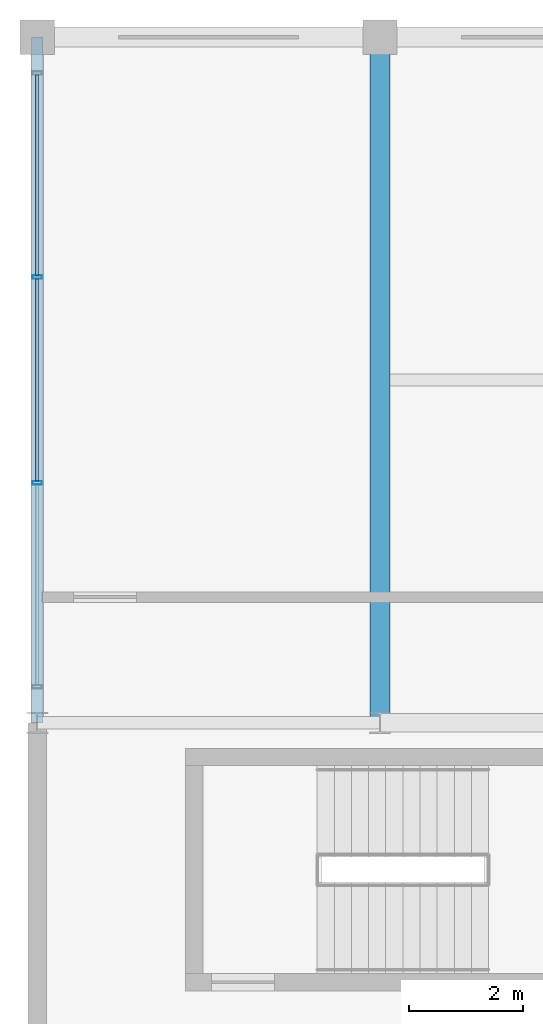
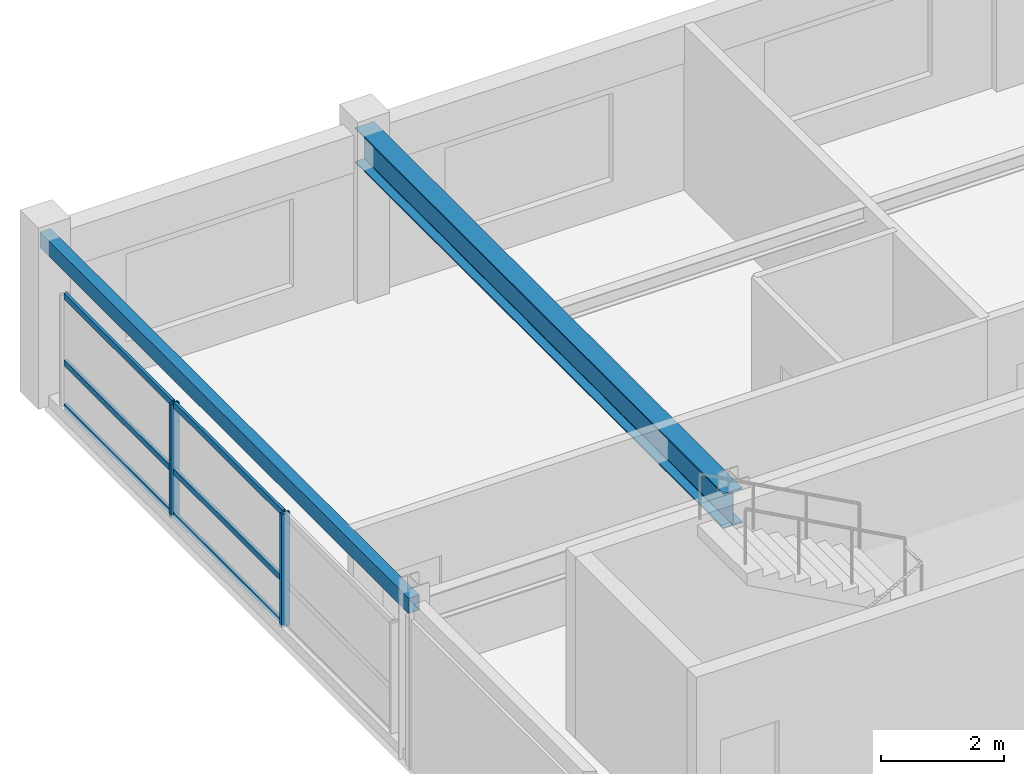
# One storey, part 8 of 22: 8 members, 2 beams, 1 element without a shape of its own.
"""IFC4 building model written with IfcOpenShell, lengths in metres."""

from ifc_helpers import new_model, si_unit, direction, frame, origin, origin_2d, place, context, subcontext, project, spatial, hollow_rectangle, i_section, extrude, material, material_profile, profile_set, type_object, element, aggregate, save


model = new_model("IFC4")

# Units and contexts
model_context = context("Model", 3, precision=1e-05, world=origin(), true_north=direction((0.0, 1.0)))
body_context = subcontext(model_context, "Body", "Model", "MODEL_VIEW")
ifc_project = project(units=[si_unit("LENGTHUNIT", "METRE"), si_unit("AREAUNIT", "SQUARE_METRE"), si_unit("VOLUMEUNIT", "CUBIC_METRE"), si_unit("PLANEANGLEUNIT", "RADIAN"), si_unit("MASSUNIT", "GRAM", prefix="KILO")], contexts=[model_context])

# Site, building, storey
site_placement = place(None, origin())
site = spatial("IfcSite", under=ifc_project, at=site_placement, CompositionType="ELEMENT")
building_placement = place(site_placement, origin())
building = spatial("IfcBuilding", under=site, at=building_placement, Name="Kaldorvane Square Convention Centre", CompositionType="ELEMENT")
storey_placement = place(building_placement, frame((0.0, 0.0, 67.19999694824219)))
storey = spatial("IfcBuildingStorey", under=building, at=storey_placement, Name="L16", CompositionType="ELEMENT", Elevation=67.19999694824219)

# Beams
ifc_material_1 = material(Name="Steel ASTM A992 Gr. 50", Category="steel")
ifc_material_profile_1 = material_profile(ifc_material_1, i_section(OverallWidth=0.354705810546875, OverallDepth=0.69549560546875, WebThickness=0.0153961181640625, FlangeThickness=0.0251007080078125, FilletRadius=0.01519775390625, at=origin_2d()), Name="W27X146")
ifc_profile_set_1 = profile_set([ifc_material_profile_1], Name="Steel ASTM A992 Gr. 50")
beam_type_1 = type_object("IfcBeamType", Name="BM-GR-W27X146", PredefinedType="BEAM", material=ifc_profile_set_1)
beam_1_placement = place(storey_placement, frame((42.0, 105.0, 2.9282073974609375), z_axis=(0.0, 1.0, 0.0), x_axis=(-1.0, 0.0, 0.0)))
element("IfcBeam", 1, at=beam_1_placement, inside=storey, type_object=beam_type_1, Name="Transverse Girder (L16)", PredefinedType="BEAM", context=body_context, shape_type="SweptSolid", body=[
    extrude(i_section(OverallWidth=0.354705810546875, OverallDepth=0.69549560546875, WebThickness=0.0153961181640625, FlangeThickness=0.0251007080078125, FilletRadius=0.01519775390625, at=origin_2d()), origin(), (0.0, 0.0, 1.0), 12.0),
])
ifc_material_2 = material(Name="Steel ASTM A500 Gr. C", Category="steel")
ifc_material_profile_2 = material_profile(ifc_material_2, hollow_rectangle(XDim=0.2032012939453125, YDim=0.3047943115234375, WallThickness=0.0088958740234375, at=origin_2d()), Name="HSS12X8X3/8")
ifc_profile_set_2 = profile_set([ifc_material_profile_2], Name="Steel ASTM A500 Gr. C")
beam_type_2 = type_object("IfcBeamType", Name="BM-SP-HSS12", PredefinedType="SPANDREL", material=ifc_profile_set_2)
beam_2_placement = place(storey_placement, frame((36.0, 105.0, 3.12359619140625), z_axis=(0.0, 1.0, 0.0), x_axis=(-1.0, 0.0, 0.0)))
element("IfcBeam", 2, at=beam_2_placement, inside=storey, type_object=beam_type_2, Name="End Spandrel (L16)", PredefinedType="SPANDREL", context=body_context, shape_type="SweptSolid", body=[
    extrude(hollow_rectangle(XDim=0.2032012939453125, YDim=0.3047943115234375, WallThickness=0.0088958740234375, at=origin_2d()), origin(), (0.0, 0.0, 1.0), 12.0),
])

# Curtain wall, members
ifc_material_3 = material(Name="Anodized Aluminum and Low-E Insulated Glazing", Category="aluminium")
curtain_wall_type = type_object("IfcCurtainWallType", Name="CW-UNI-HTL-B", PredefinedType="USERDEFINED", material=ifc_material_3)
curtain_wall_placement = place(storey_placement, origin())
curtain_wall = element("IfcCurtainWall", 3, at=curtain_wall_placement, inside=storey, type_object=curtain_wall_type, Name="Curtain Wall CW-11 (L16)", ObjectType="UNITISED GLAZING", PredefinedType="USERDEFINED")
ifc_material_profile_3 = material_profile(ifc_material_3, hollow_rectangle(XDim=0.05999755859375, YDim=0.160003662109375, WallThickness=0.003204345703125, at=origin_2d()), Name="CWM-160X60")
ifc_profile_set_3 = profile_set([ifc_material_profile_3], Name="Anodized Aluminum and Low-E Insulated Glazing")
member_type_1 = type_object("IfcMemberType", Name="CW-MUL-160", PredefinedType="MULLION", material=ifc_profile_set_3)
member_1_placement = place(storey_placement, frame((36.0, 112.80000305175781, 0.1500091552734375), z_axis=(0.0, 0.0, 1.0), x_axis=(0.0, -1.0, 0.0)))
member_1 = element("IfcMember", 4, at=member_1_placement, type_object=member_type_1, Name="CW-11 mullion 2", PredefinedType="MULLION", context=body_context, shape_type="SweptSolid", body=[
    extrude(hollow_rectangle(XDim=0.05999755859375, YDim=0.160003662109375, WallThickness=0.003204345703125, at=origin_2d()), origin(), (0.0, 0.0, 1.0), 2.25),
])
member_2_placement = place(storey_placement, frame((36.0, 109.19999694824219, 0.1500091552734375), z_axis=(0.0, 0.0, 1.0), x_axis=(0.0, -1.0, 0.0)))
member_2 = element("IfcMember", 5, at=member_2_placement, type_object=member_type_1, Name="CW-11 mullion 3", PredefinedType="MULLION", context=body_context, shape_type="SweptSolid", body=[
    extrude(hollow_rectangle(XDim=0.05999755859375, YDim=0.160003662109375, WallThickness=0.003204345703125, at=origin_2d()), origin(), (0.0, 0.0, 1.0), 2.25),
])
ifc_material_profile_4 = material_profile(ifc_material_3, hollow_rectangle(XDim=0.05499267578125, YDim=0.1199951171875, WallThickness=0.0030059814453125, at=origin_2d()), Name="CWT-120X55")
ifc_profile_set_4 = profile_set([ifc_material_profile_4], Name="Anodized Aluminum and Low-E Insulated Glazing")
member_type_2 = type_object("IfcMemberType", Name="CW-TRN-120", PredefinedType="USERDEFINED", material=ifc_profile_set_4)
member_3_placement = place(storey_placement, frame((36.0, 116.33999633789062, 0.1775054931640625), z_axis=(0.0, -1.0, 0.0), x_axis=(1.0, 0.0, 0.0)))
member_3 = element("IfcMember", 6, at=member_3_placement, type_object=member_type_2, Name="CW-11 transom 1.1", ObjectType="TRANSOM", PredefinedType="USERDEFINED", context=body_context, shape_type="SweptSolid", body=[
    extrude(hollow_rectangle(XDim=0.05499267578125, YDim=0.1199951171875, WallThickness=0.0030059814453125, at=origin_2d()), origin(), (0.0, 0.0, 1.0), 3.5099945068359375),
])
member_4_placement = place(storey_placement, frame((36.0, 116.33999633789062, 1.0500030517578125), z_axis=(0.0, -1.0, 0.0), x_axis=(1.0, 0.0, 0.0)))
member_4 = element("IfcMember", 7, at=member_4_placement, type_object=member_type_2, Name="CW-11 transom 1.2", ObjectType="TRANSOM", PredefinedType="USERDEFINED", context=body_context, shape_type="SweptSolid", body=[
    extrude(hollow_rectangle(XDim=0.05499267578125, YDim=0.1199951171875, WallThickness=0.0030059814453125, at=origin_2d()), origin(), (0.0, 0.0, 1.0), 3.5099945068359375),
])
member_5_placement = place(storey_placement, frame((36.0, 116.33999633789062, 2.37249755859375), z_axis=(0.0, -1.0, 0.0), x_axis=(1.0, 0.0, 0.0)))
member_5 = element("IfcMember", 8, at=member_5_placement, type_object=member_type_2, Name="CW-11 transom 1.3", ObjectType="TRANSOM", PredefinedType="USERDEFINED", context=body_context, shape_type="SweptSolid", body=[
    extrude(hollow_rectangle(XDim=0.05499267578125, YDim=0.1199951171875, WallThickness=0.0030059814453125, at=origin_2d()), origin(), (0.0, 0.0, 1.0), 3.5099945068359375),
])
member_6_placement = place(storey_placement, frame((36.0, 112.77000427246094, 0.1775054931640625), z_axis=(0.0, -1.0, 0.0), x_axis=(1.0, 0.0, 0.0)))
member_6 = element("IfcMember", 9, at=member_6_placement, type_object=member_type_2, Name="CW-11 transom 2.1", ObjectType="TRANSOM", PredefinedType="USERDEFINED", context=body_context, shape_type="SweptSolid", body=[
    extrude(hollow_rectangle(XDim=0.05499267578125, YDim=0.1199951171875, WallThickness=0.0030059814453125, at=origin_2d()), origin(), (0.0, 0.0, 1.0), 3.540008544921875),
])
member_7_placement = place(storey_placement, frame((36.0, 112.77000427246094, 1.0500030517578125), z_axis=(0.0, -1.0, 0.0), x_axis=(1.0, 0.0, 0.0)))
member_7 = element("IfcMember", 10, at=member_7_placement, type_object=member_type_2, Name="CW-11 transom 2.2", ObjectType="TRANSOM", PredefinedType="USERDEFINED", context=body_context, shape_type="SweptSolid", body=[
    extrude(hollow_rectangle(XDim=0.05499267578125, YDim=0.1199951171875, WallThickness=0.0030059814453125, at=origin_2d()), origin(), (0.0, 0.0, 1.0), 3.540008544921875),
])
member_8_placement = place(storey_placement, frame((36.0, 112.77000427246094, 2.37249755859375), z_axis=(0.0, -1.0, 0.0), x_axis=(1.0, 0.0, 0.0)))
member_8 = element("IfcMember", 11, at=member_8_placement, type_object=member_type_2, Name="CW-11 transom 2.3", ObjectType="TRANSOM", PredefinedType="USERDEFINED", context=body_context, shape_type="SweptSolid", body=[
    extrude(hollow_rectangle(XDim=0.05499267578125, YDim=0.1199951171875, WallThickness=0.0030059814453125, at=origin_2d()), origin(), (0.0, 0.0, 1.0), 3.540008544921875),
])
aggregate(curtain_wall, [member_1, member_2, member_3, member_4, member_5, member_6, member_7, member_8])

save(model, "model.ifc")
